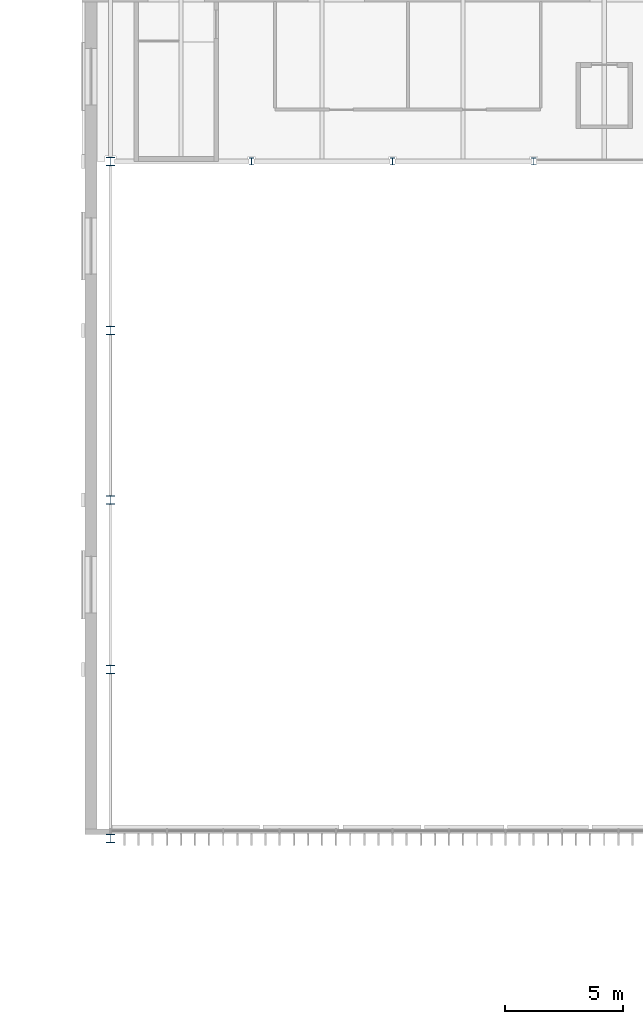
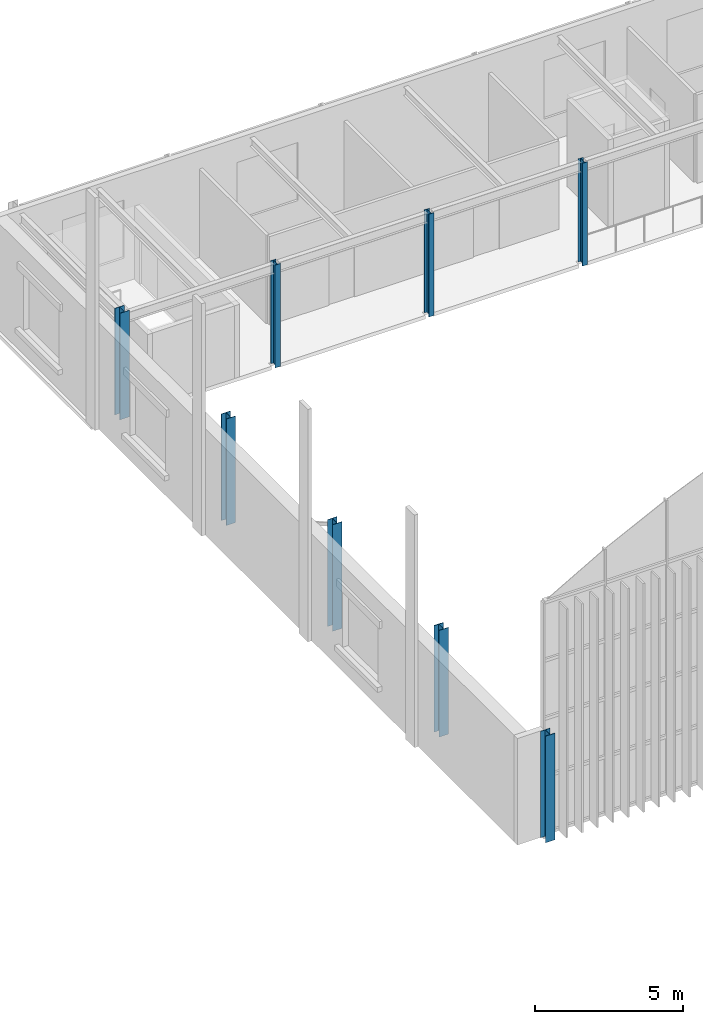
# One storey, part 7 of 169: 8 columns.
"""IFC4 building model written with IfcOpenShell, lengths in metres."""

from ifc_helpers import new_model, si_unit, direction, frame, origin, origin_2d, place, context, subcontext, project, spatial, i_section, extrude, material, material_profile, profile_set, type_object, element, save


model = new_model("IFC4")

# Units and contexts
model_context = context("Model", 3, precision=1e-05, world=origin(), true_north=direction((0.0, 1.0)))
body_context = subcontext(model_context, "Body", "Model", "MODEL_VIEW")
ifc_project = project(units=[si_unit("LENGTHUNIT", "METRE"), si_unit("AREAUNIT", "SQUARE_METRE"), si_unit("VOLUMEUNIT", "CUBIC_METRE"), si_unit("PLANEANGLEUNIT", "RADIAN"), si_unit("MASSUNIT", "GRAM", prefix="KILO")], contexts=[model_context])

# Site, building, storey
site_placement = place(None, origin())
site = spatial("IfcSite", under=ifc_project, at=site_placement, CompositionType="ELEMENT")
building_placement = place(site_placement, origin())
building = spatial("IfcBuilding", under=site, at=building_placement, Name="Verrick Yard Athletic Hall", CompositionType="ELEMENT")
storey_placement = place(building_placement, frame((0.0, 0.0, 4.39990234375)))
storey = spatial("IfcBuildingStorey", under=building, at=storey_placement, Name="L01", CompositionType="ELEMENT", Elevation=4.39990234375)

# Columns
ifc_material = material(Name="Structural steel 350W (CSA G40.21)", Category="steel")
ifc_material_profile_1 = material_profile(ifc_material, i_section(OverallWidth=0.205078125, OverallDepth=0.31005859375, WebThickness=0.009521484375, FlangeThickness=0.016357421875, at=origin_2d()), Name="W310x74")
ifc_profile_set_1 = profile_set([ifc_material_profile_1], Name="Structural steel 350W (CSA G40.21)")
column_type_1 = type_object("IfcColumnType", Name="HB column W310x74", PredefinedType="COLUMN", material=ifc_profile_set_1)
for number, where, z_axis, x_axis, name in (
    (1, (34.0, 100.800048828125, 0.0), (0.0, 0.0, 1.0), (1.0, 0.0, 0.0), "HB-C-B-B1S-L01"),
    (2, (40.0, 100.800048828125, 0.0), (0.0, 0.0, 1.0), (1.0, 0.0, 0.0), "HB-C-B-B2S-L01"),
    (3, (46.0, 100.800048828125, 0.0), (0.0, 0.0, 1.0), (1.0, 0.0, 0.0), "HB-C-B-B3S-L01"),
):
    element("IfcColumn", number, at=place(storey_placement, frame(where, z_axis=z_axis, x_axis=x_axis)), inside=storey, type_object=column_type_1, Name=name, PredefinedType="COLUMN", context=body_context, shape_type="SweptSolid", body=[
        extrude(i_section(OverallWidth=0.205078125, OverallDepth=0.31005859375, WebThickness=0.009521484375, FlangeThickness=0.016357421875, at=origin_2d()), origin(), (0.0, 0.0, 1.0), 4.25),
    ])
ifc_material_profile_2 = material_profile(ifc_material, i_section(OverallWidth=0.368896484375, OverallDepth=0.35595703125, WebThickness=0.01123046875, FlangeThickness=0.01806640625, at=origin_2d()), Name="W360x134")
ifc_profile_set_2 = profile_set([ifc_material_profile_2], Name="Structural steel 350W (CSA G40.21)")
column_type_2 = type_object("IfcColumnType", Name="HB column W360x134", PredefinedType="COLUMN", material=ifc_profile_set_2)
for number, where, z_axis, x_axis, name in (
    (4, (28.0, 72.0, 0.0), (0.0, 0.0, 1.0), (1.0, 0.0, 0.0), "HB-C-HBW1-L01"),
    (5, (28.0, 79.199951171875, 0.0), (0.0, 0.0, 1.0), (1.0, 0.0, 0.0), "HB-C-HBW2-L01"),
    (6, (28.0, 86.39990234375, 0.0), (0.0, 0.0, 1.0), (1.0, 0.0, 0.0), "HB-C-HBW3-L01"),
    (7, (28.0, 93.60009765625, 0.0), (0.0, 0.0, 1.0), (1.0, 0.0, 0.0), "HB-C-HBW4-L01"),
    (8, (28.0, 100.800048828125, 0.0), (0.0, 0.0, 1.0), (1.0, 0.0, 0.0), "HB-C-HBW5-L01"),
):
    element("IfcColumn", number, at=place(storey_placement, frame(where, z_axis=z_axis, x_axis=x_axis)), inside=storey, type_object=column_type_2, Name=name, PredefinedType="COLUMN", context=body_context, shape_type="SweptSolid", body=[
        extrude(i_section(OverallWidth=0.368896484375, OverallDepth=0.35595703125, WebThickness=0.01123046875, FlangeThickness=0.01806640625, at=origin_2d()), origin(), (0.0, 0.0, 1.0), 4.400146484375),
    ])

save(model, "model.ifc")
